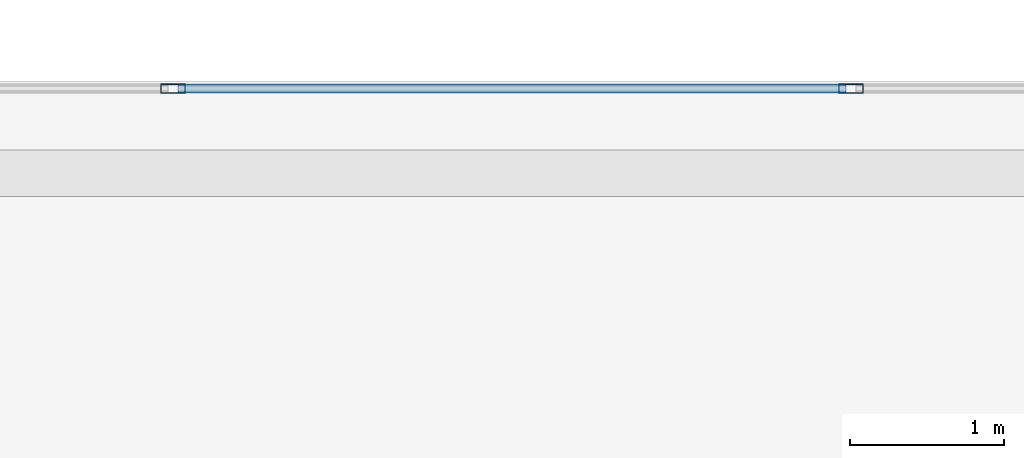
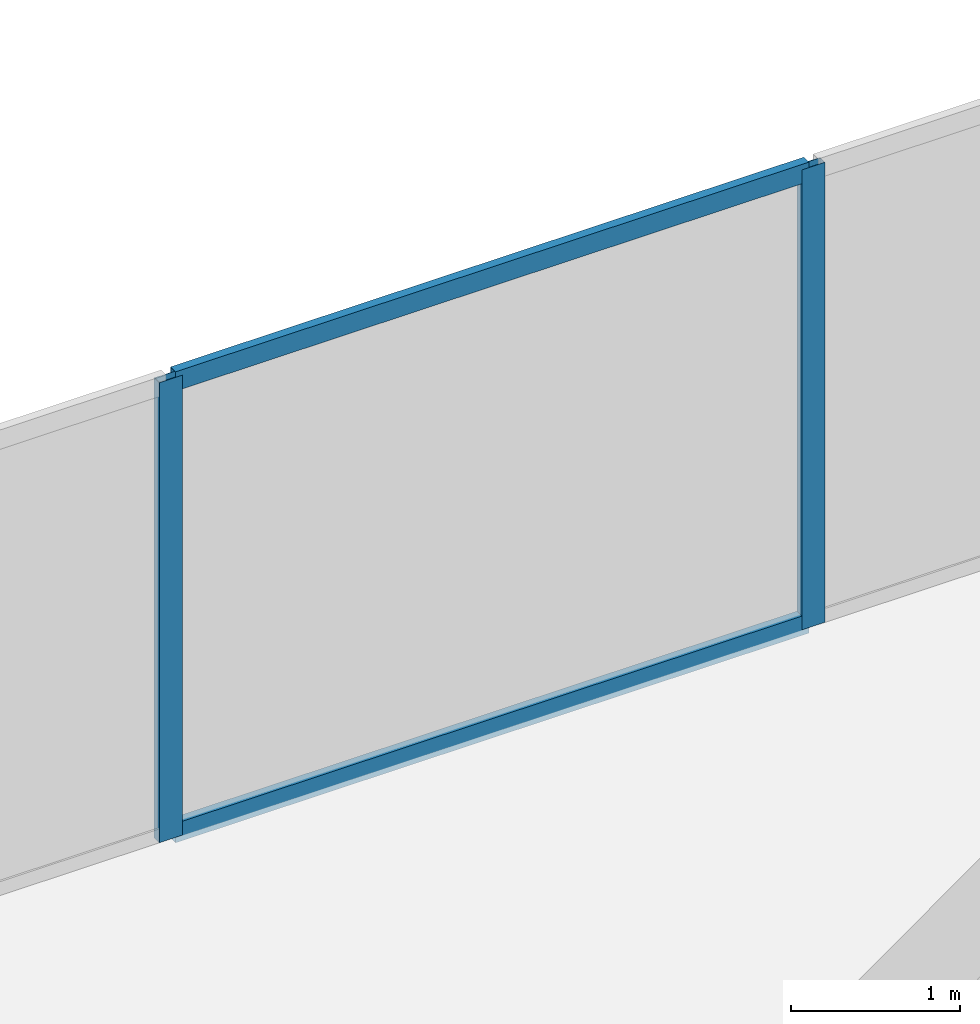
# One storey, part 22 of 35: 4 members, 1 element without a shape of its own.
"""IFC4 building model written with IfcOpenShell, lengths in metres."""

from ifc_helpers import new_model, si_unit, direction, frame, origin, origin_2d, place, context, subcontext, project, spatial, hollow_rectangle, extrude, material, layer, layer_set, material_profile, profile_set, type_object, element, aggregate, save


model = new_model("IFC4")

# Units and contexts
model_context = context("Model", 3, precision=1e-05, world=origin(), true_north=direction((0.0, 1.0)))
body_context = subcontext(model_context, "Body", "Model", "MODEL_VIEW")
ifc_project = project(units=[si_unit("LENGTHUNIT", "METRE"), si_unit("AREAUNIT", "SQUARE_METRE"), si_unit("VOLUMEUNIT", "CUBIC_METRE"), si_unit("PLANEANGLEUNIT", "RADIAN"), si_unit("MASSUNIT", "GRAM", prefix="KILO")], contexts=[model_context])

# Site, building, storey
site_placement = place(None, origin())
site = spatial("IfcSite", under=ifc_project, at=site_placement, CompositionType="ELEMENT")
building_placement = place(site_placement, origin())
building = spatial("IfcBuilding", under=site, at=building_placement, Name="Catumbela Crestline Tower", CompositionType="ELEMENT")
storey_placement = place(building_placement, frame((0.0, 0.0, 90.0)))
storey = spatial("IfcBuildingStorey", under=building, at=storey_placement, Name="L22", CompositionType="ELEMENT", Elevation=90.0)

# Curtain wall, members
ifc_material = material(Name="Aluminium alloy AW-6060-T66", Category="aluminium")
ifc_layer = layer(ifc_material, 0.18, Name="Aluminium alloy AW-6060-T66")
ifc_layer_set = layer_set([ifc_layer], Name="Aluminium alloy AW-6060-T66")
curtain_wall_type = type_object("IfcCurtainWallType", Name="CWU-Z2", PredefinedType="USERDEFINED", material=ifc_layer_set)
curtain_wall_placement = place(storey_placement, origin())
curtain_wall = element("IfcCurtainWall", 1, at=curtain_wall_placement, inside=storey, type_object=curtain_wall_type, Name="L22 Unitised Curtain Wall CW-L22-E7S1", ObjectType="UNITISED", PredefinedType="USERDEFINED")
ifc_material_profile_1 = material_profile(ifc_material, hollow_rectangle(XDim=0.06, YDim=0.16, WallThickness=0.004, at=origin_2d()), Name="ALU 160x60x4")
ifc_profile_set_1 = profile_set([ifc_material_profile_1], Name="Aluminium alloy AW-6060-T66")
member_type_1 = type_object("IfcMemberType", Name="MUL-160X60", PredefinedType="MULLION", material=ifc_profile_set_1)
member_1_placement = place(storey_placement, frame((29.9, 47.95, 0.0), z_axis=(0.0, 0.0, 1.0), x_axis=(0.0, -1.0, 0.0)))
member_1 = element("IfcMember", 2, at=member_1_placement, type_object=member_type_1, Name="CWU-Z2 mullion 5", PredefinedType="MULLION", context=body_context, shape_type="SweptSolid", body=[
    extrude(hollow_rectangle(XDim=0.06, YDim=0.16, WallThickness=0.004, at=origin_2d()), origin(), (0.0, 0.0, 1.0), 3.33),
])
member_2_placement = place(storey_placement, frame((25.5, 47.95, 0.0), z_axis=(0.0, 0.0, 1.0), x_axis=(0.0, -1.0, 0.0)))
member_2 = element("IfcMember", 3, at=member_2_placement, type_object=member_type_1, Name="CWU-Z2 mullion 6", PredefinedType="MULLION", context=body_context, shape_type="SweptSolid", body=[
    extrude(hollow_rectangle(XDim=0.06, YDim=0.16, WallThickness=0.004, at=origin_2d()), origin(), (0.0, 0.0, 1.0), 3.33),
])
ifc_material_profile_2 = material_profile(ifc_material, hollow_rectangle(XDim=0.06, YDim=0.14, WallThickness=0.004, at=origin_2d()), Name="ALU 140x60x4")
ifc_profile_set_2 = profile_set([ifc_material_profile_2], Name="Aluminium alloy AW-6060-T66")
member_type_2 = type_object("IfcMemberType", Name="TRN-140X60", PredefinedType="USERDEFINED", material=ifc_profile_set_2)
member_3_placement = place(storey_placement, frame((29.8675, 47.95, 0.03), z_axis=(-1.0, 0.0, 0.0), x_axis=(0.0, -1.0, 0.0)))
member_3 = element("IfcMember", 4, at=member_3_placement, type_object=member_type_2, Name="CWU-Z2 transom 5.1", ObjectType="TRANSOM", PredefinedType="USERDEFINED", context=body_context, shape_type="SweptSolid", body=[
    extrude(hollow_rectangle(XDim=0.06, YDim=0.14, WallThickness=0.004, at=origin_2d()), origin(), (0.0, 0.0, 1.0), 4.335),
])
member_4_placement = place(storey_placement, frame((29.8675, 47.95, 3.3), z_axis=(-1.0, 0.0, 0.0), x_axis=(0.0, -1.0, 0.0)))
member_4 = element("IfcMember", 5, at=member_4_placement, type_object=member_type_2, Name="CWU-Z2 transom 5.2", ObjectType="TRANSOM", PredefinedType="USERDEFINED", context=body_context, shape_type="SweptSolid", body=[
    extrude(hollow_rectangle(XDim=0.06, YDim=0.14, WallThickness=0.004, at=origin_2d()), origin(), (0.0, 0.0, 1.0), 4.335),
])
aggregate(curtain_wall, [member_1, member_2, member_3, member_4])

save(model, "model.ifc")
